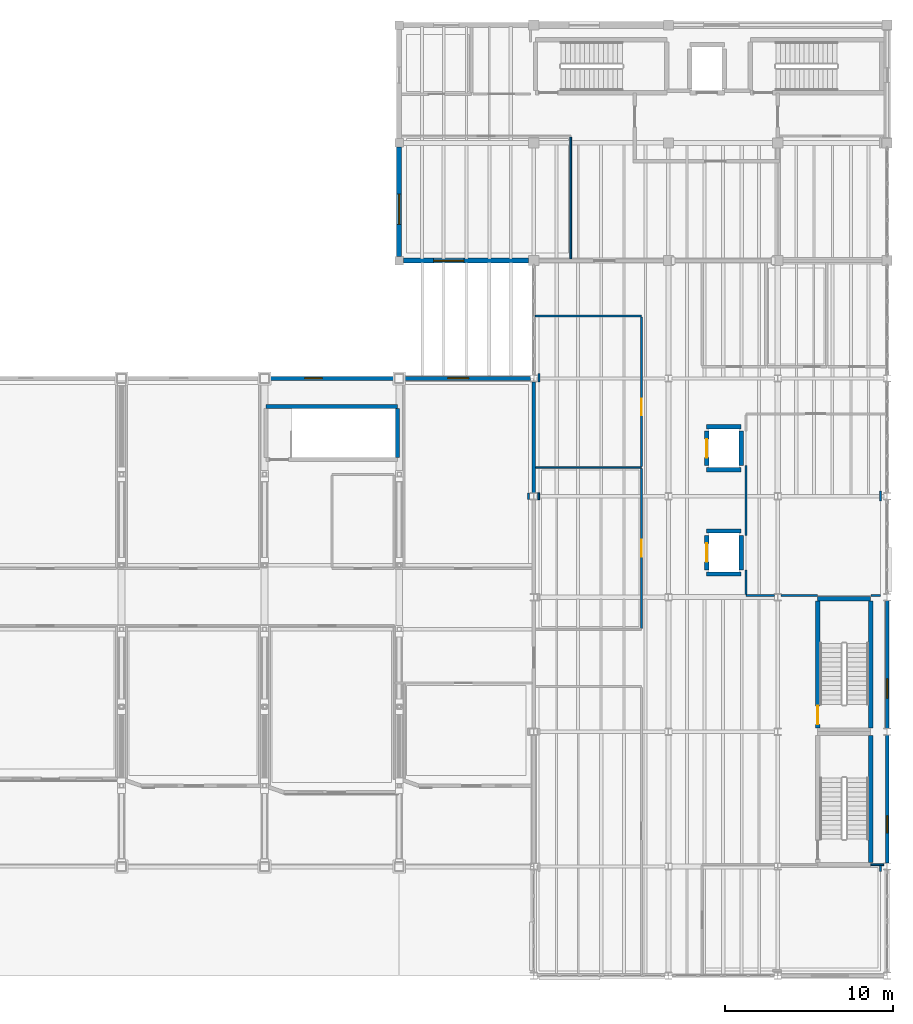
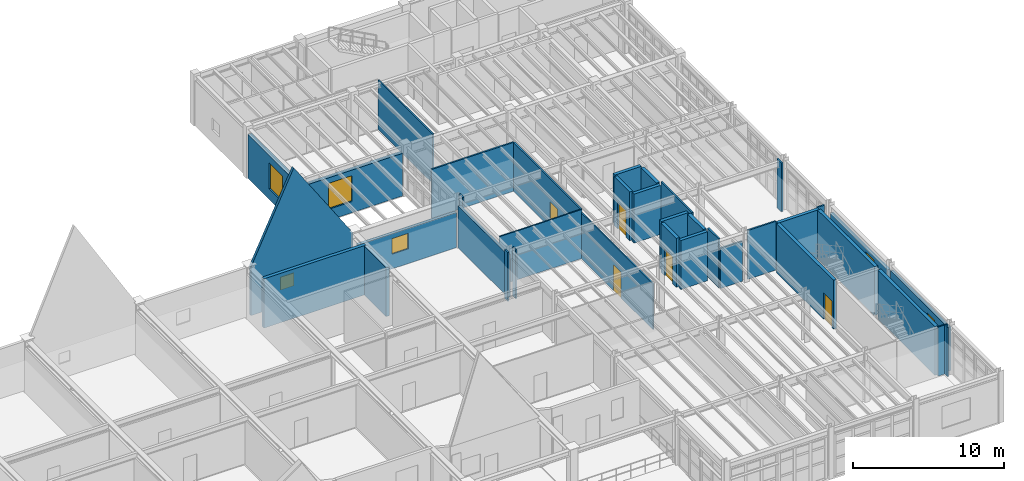
# One storey, part 67 of 78: 37 walls, 6 windows, 5 doors, 11 openings.
"""IFC4 building model written with IfcOpenShell, lengths in metres."""

from ifc_helpers import new_model, si_unit, direction, frame, frame_2d, origin, place, context, subcontext, project, spatial, polyline, rectangle, outline, extrude, material, layer, layer_set, type_object, element, fill, save


model = new_model("IFC4")

# Units and contexts
model_context = context("Model", 3, precision=1e-05, world=origin(), true_north=direction((0.0, 1.0)))
body_context = subcontext(model_context, "Body", "Model", "MODEL_VIEW")
ifc_project = project(units=[si_unit("LENGTHUNIT", "METRE"), si_unit("AREAUNIT", "SQUARE_METRE"), si_unit("VOLUMEUNIT", "CUBIC_METRE"), si_unit("PLANEANGLEUNIT", "RADIAN"), si_unit("MASSUNIT", "GRAM", prefix="KILO"), si_unit("THERMODYNAMICTEMPERATUREUNIT", "KELVIN"), si_unit("POWERUNIT", "WATT")], contexts=[model_context])

# Site, building, storey
site_placement = place(None, origin())
site = spatial("IfcSite", under=ifc_project, at=site_placement, CompositionType="ELEMENT")
building_placement = place(site_placement, origin())
building = spatial("IfcBuilding", under=site, at=building_placement, Name="Zhenchuan Central Fire Station", CompositionType="ELEMENT")
storey_placement = place(building_placement, frame((0.0, 0.0, 5.85009765625)))
storey = spatial("IfcBuildingStorey", under=building, at=storey_placement, Name="L02", CompositionType="ELEMENT", Elevation=5.85009765625)

# Wall, opening, window
ifc_material_1 = material(Name="Sintered clay brick masonry MU15", Category="masonry")
ifc_layer_1 = layer(ifc_material_1, 0.300048828125, Name="Sintered clay brick masonry MU15", Category="masonry")
ifc_layer_set_1 = layer_set([ifc_layer_1], Name="Sintered clay brick masonry MU15")
wall_type_1 = type_object("IfcWallType", Name="EW-BRK300", PredefinedType="SOLIDWALL", material=ifc_layer_set_1)
wall_1_placement = place(storey_placement, frame((132.0, 42.75, 0.0), z_axis=(0.0, 0.0, 1.0), x_axis=(0.0, 1.0, 0.0)))
wall_1 = element("IfcWall", 1, at=wall_1_placement, inside=storey, type_object=wall_type_1, Name="EW-L02-V6W-0", PredefinedType="SOLIDWALL", context=body_context, shape_type="SweptSolid", body=[
    extrude(rectangle(XDim=6.5, YDim=0.300048828125, at=frame_2d((3.25, 0.0))), origin(), (0.0, 0.0, 1.0), 3.56396484375),
])
opening_1_placement = place(wall_1_placement, frame((1.89990234375, 0.0, 0.85009765625)))
opening_1 = element("IfcOpeningElement", 2, at=opening_1_placement, cuts=wall_1, Name="Opening W-35", PredefinedType="OPENING", context=body_context, shape_type="SweptSolid", body=[
    extrude(rectangle(XDim=1.800048828125, YDim=2.10009765625, at=frame_2d((0.89990234375, 1.050048828125))), frame((0.0, 0.159912109375, 0.0), z_axis=(0.0, -1.0, 0.0), x_axis=(1.0, 0.0, 0.0)), (0.0, 0.0, 1.0), 0.320068359375),
])
ifc_material_2 = material(Name="Laminated low-E double glazing in aluminium frame", Category="aluminium")
window_type_1 = type_object("IfcWindowType", Name="WN-35", PartitioningType="SINGLE_PANEL", PredefinedType="WINDOW", material=ifc_material_2)
window_1_placement = place(opening_1_placement, origin())
window_1 = element("IfcWindow", 3, at=window_1_placement, inside=storey, type_object=window_type_1, Name="Exterior Window 0110", OverallHeight=2.10009765625, OverallWidth=1.800048828125, PartitioningType="SINGLE_PANEL", PredefinedType="WINDOW", context=body_context, shape_type="SweptSolid", body=[
    extrude(rectangle(XDim=1.800048828125, YDim=2.10009765625, at=frame_2d((0.89990234375, 1.050048828125))), frame((0.0, 0.030029296875, 0.0), z_axis=(0.0, -1.0, 0.0), x_axis=(1.0, 0.0, 0.0)), (0.0, 0.0, 1.0), 0.06005859375),
])
fill(opening_1, window_1)

wall_2_placement = place(storey_placement, frame((132.25, 42.5, 0.0), z_axis=(0.0, 0.0, 1.0), x_axis=(1.0, 0.0, 0.0)))
wall_2 = element("IfcWall", 4, at=wall_2_placement, inside=storey, type_object=wall_type_1, Name="EW-L02-V6S-0", PredefinedType="SOLIDWALL", context=body_context, shape_type="SweptSolid", body=[
    extrude(rectangle(XDim=7.449951171875, YDim=0.300048828125, at=frame_2d((3.72509765625, 0.0))), origin(), (0.0, 0.0, 1.0), 3.453857421875),
])
opening_2_placement = place(wall_2_placement, frame((1.800048828125, 0.0, 0.89990234375)))
opening_2 = element("IfcOpeningElement", 5, at=opening_2_placement, cuts=wall_2, Name="Opening W-35", PredefinedType="OPENING", context=body_context, shape_type="SweptSolid", body=[
    extrude(rectangle(XDim=1.800048828125, YDim=2.10009765625, at=frame_2d((0.89990234375, 1.050048828125))), frame((0.0, 0.159912109375, 0.0), z_axis=(0.0, -1.0, 0.0), x_axis=(1.0, 0.0, 0.0)), (0.0, 0.0, 1.0), 0.320068359375),
])
window_2_placement = place(opening_2_placement, origin())
window_2 = element("IfcWindow", 6, at=window_2_placement, inside=storey, type_object=window_type_1, Name="Exterior Window 0112", OverallHeight=2.10009765625, OverallWidth=1.800048828125, PartitioningType="SINGLE_PANEL", PredefinedType="WINDOW", context=body_context, shape_type="SweptSolid", body=[
    extrude(rectangle(XDim=1.800048828125, YDim=2.10009765625, at=frame_2d((0.89990234375, 1.050048828125))), frame((0.0, 0.030029296875, 0.0), z_axis=(0.0, -1.0, 0.0), x_axis=(1.0, 0.0, 0.0)), (0.0, 0.0, 1.0), 0.06005859375),
])
fill(opening_2, window_2)

ifc_material_3 = material(Name="Precast concrete C40/50", Category="concrete")
ifc_layer_2 = layer(ifc_material_3, 0.219970703125, Name="Precast concrete C40/50", Category="concrete")
ifc_layer_set_2 = layer_set([ifc_layer_2], Name="Precast concrete C40/50")
wall_type_2 = type_object("IfcWallType", Name="EW-PRC220", PredefinedType="SOLIDWALL", material=ifc_layer_set_2)
wall_3_placement = place(storey_placement, frame((124.087890625, 35.5, 0.0), z_axis=(0.0, 0.0, 1.0), x_axis=(1.0, 0.0, 0.0)))
wall_3 = element("IfcWall", 7, at=wall_3_placement, inside=storey, type_object=wall_type_2, Name="Pavilion H09 North Gable Wall", PredefinedType="SOLIDWALL", context=body_context, shape_type="SweptSolid", body=[
    extrude(outline(polyline([(0.0, 0.0), (7.82421875, 0.0), (7.823974609375, 3.949951171875), (3.27197265625, 10.81982421875), (0.0, 3.949951171875), (0.0, 0.0)])), frame((0.0, 0.10986328125, 0.0), z_axis=(0.0, -1.0, 0.0), x_axis=(1.0, 0.0, 0.0)), (0.0, 0.0, 1.0), 0.219970703125),
])
opening_3_placement = place(wall_3_placement, frame((2.300048828125, 0.0, 1.199951171875)))
opening_3 = element("IfcOpeningElement", 8, at=opening_3_placement, cuts=wall_3, Name="Opening W-05", PredefinedType="OPENING", context=body_context, shape_type="SweptSolid", body=[
    extrude(rectangle(XDim=1.050048828125, YDim=1.050048828125, at=frame_2d((0.52490234375, 0.52490234375))), frame((0.0, 0.119873046875, 0.0), z_axis=(0.0, -1.0, 0.0), x_axis=(1.0, 0.0, 0.0)), (0.0, 0.0, 1.0), 0.239990234375),
])
window_type_2 = type_object("IfcWindowType", Name="WN-05", PartitioningType="SINGLE_PANEL", PredefinedType="WINDOW", material=ifc_material_2)
window_3_placement = place(opening_3_placement, origin())
window_3 = element("IfcWindow", 9, at=window_3_placement, inside=storey, type_object=window_type_2, Name="Exterior Window 0031", OverallHeight=1.050048828125, OverallWidth=1.050048828125, PartitioningType="SINGLE_PANEL", PredefinedType="WINDOW", context=body_context, shape_type="SweptSolid", body=[
    extrude(rectangle(XDim=1.050048828125, YDim=1.050048828125, at=frame_2d((0.52490234375, 0.52490234375))), frame((0.0, 0.030029296875, 0.0), z_axis=(0.0, -1.0, 0.0), x_axis=(1.0, 0.0, 0.0)), (0.0, 0.0, 1.0), 0.06005859375),
])
fill(opening_3, window_3)

wall_4_placement = place(storey_placement, frame((132.27490234375, 35.5, 0.0), z_axis=(0.0, 0.0, 1.0), x_axis=(1.0, 0.0, 0.0)))
wall_4 = element("IfcWall", 10, at=wall_4_placement, inside=storey, type_object=wall_type_2, Name="Pavilion H10 North Lower Wall", PredefinedType="SOLIDWALL", context=body_context, shape_type="SweptSolid", body=[
    extrude(rectangle(XDim=7.525146484375, YDim=0.219970703125, at=frame_2d((3.7626953125, 0.0))), origin(), (0.0, 0.0, 1.0), 2.85400390625),
])
opening_4_placement = place(wall_4_placement, frame((2.60009765625, 0.0, 1.199951171875)))
opening_4 = element("IfcOpeningElement", 11, at=opening_4_placement, cuts=wall_4, Name="Opening W-07", PredefinedType="OPENING", context=body_context, shape_type="SweptSolid", body=[
    extrude(rectangle(XDim=1.25, YDim=1.25, at=frame_2d((0.625, 0.625))), frame((0.0, 0.119873046875, 0.0), z_axis=(0.0, -1.0, 0.0), x_axis=(1.0, 0.0, 0.0)), (0.0, 0.0, 1.0), 0.239990234375),
])
window_type_3 = type_object("IfcWindowType", Name="WN-07", PartitioningType="SINGLE_PANEL", PredefinedType="WINDOW", material=ifc_material_2)
window_4_placement = place(opening_4_placement, origin())
window_4 = element("IfcWindow", 12, at=window_4_placement, inside=storey, type_object=window_type_3, Name="Exterior Window 0033", OverallHeight=1.25, OverallWidth=1.25, PartitioningType="SINGLE_PANEL", PredefinedType="WINDOW", context=body_context, shape_type="SweptSolid", body=[
    extrude(rectangle(XDim=1.25, YDim=1.25, at=frame_2d((0.625, 0.625))), frame((0.0, 0.030029296875, 0.0), z_axis=(0.0, -1.0, 0.0), x_axis=(1.0, 0.0, 0.0)), (0.0, 0.0, 1.0), 0.06005859375),
])
fill(opening_4, window_4)

wall_5_placement = place(storey_placement, frame((161.0, 6.699951171875, 0.0), z_axis=(0.0, 0.0, 1.0), x_axis=(0.0, 1.0, 0.0)))
wall_5 = element("IfcWall", 13, at=wall_5_placement, inside=storey, type_object=wall_type_2, Name="EW-L02-V2E-1", PredefinedType="SOLIDWALL", context=body_context, shape_type="SweptSolid", body=[
    extrude(rectangle(XDim=7.60009765625, YDim=0.219970703125, at=frame_2d((3.800048828125, 0.0))), origin(), (0.0, 0.0, 1.0), 3.553955078125),
])
opening_5_placement = place(wall_5_placement, frame((1.800048828125, 0.0, 1.050048828125)))
opening_5 = element("IfcOpeningElement", 14, at=opening_5_placement, cuts=wall_5, Name="Opening W-31", PredefinedType="OPENING", context=body_context, shape_type="SweptSolid", body=[
    extrude(rectangle(XDim=1.0, YDim=2.0, at=frame_2d((0.5, 1.0))), frame((0.0, 0.119873046875, 0.0), z_axis=(0.0, -1.0, 0.0), x_axis=(1.0, 0.0, 0.0)), (0.0, 0.0, 1.0), 0.239990234375),
])
window_type_4 = type_object("IfcWindowType", Name="WN-31", PartitioningType="SINGLE_PANEL", PredefinedType="WINDOW", material=ifc_material_2)
window_5_placement = place(opening_5_placement, origin())
window_5 = element("IfcWindow", 15, at=window_5_placement, inside=storey, type_object=window_type_4, Name="Exterior Window 0089", OverallHeight=2.0, OverallWidth=1.0, PartitioningType="SINGLE_PANEL", PredefinedType="WINDOW", context=body_context, shape_type="SweptSolid", body=[
    extrude(rectangle(XDim=1.0, YDim=2.0, at=frame_2d((0.5, 1.0))), frame((0.0, 0.030029296875, 0.0), z_axis=(0.0, -1.0, 0.0), x_axis=(1.0, 0.0, 0.0)), (0.0, 0.0, 1.0), 0.06005859375),
])
fill(opening_5, window_5)

wall_6_placement = place(storey_placement, frame((161.0, 14.699951171875, 0.0), z_axis=(0.0, 0.0, 1.0), x_axis=(0.0, 1.0, 0.0)))
wall_6 = element("IfcWall", 16, at=wall_6_placement, inside=storey, type_object=wall_type_2, Name="EW-L02-V2E-2", PredefinedType="SOLIDWALL", context=body_context, shape_type="SweptSolid", body=[
    extrude(rectangle(XDim=7.60009765625, YDim=0.219970703125, at=frame_2d((3.800048828125, 0.0))), origin(), (0.0, 0.0, 1.0), 3.365966796875),
])
opening_6_placement = place(wall_6_placement, frame((1.800048828125, 0.0, 1.050048828125)))
opening_6 = element("IfcOpeningElement", 17, at=opening_6_placement, cuts=wall_6, Name="Opening W-32", PredefinedType="OPENING", context=body_context, shape_type="SweptSolid", body=[
    extrude(rectangle(XDim=1.14990234375, YDim=2.0, at=frame_2d((0.574951171875, 1.0))), frame((0.0, 0.119873046875, 0.0), z_axis=(0.0, -1.0, 0.0), x_axis=(1.0, 0.0, 0.0)), (0.0, 0.0, 1.0), 0.239990234375),
])
window_type_5 = type_object("IfcWindowType", Name="WN-32", PartitioningType="SINGLE_PANEL", PredefinedType="WINDOW", material=ifc_material_2)
window_6_placement = place(opening_6_placement, origin())
window_6 = element("IfcWindow", 18, at=window_6_placement, inside=storey, type_object=window_type_5, Name="Exterior Window 0090", OverallHeight=2.0, OverallWidth=1.14990234375, PartitioningType="SINGLE_PANEL", PredefinedType="WINDOW", context=body_context, shape_type="SweptSolid", body=[
    extrude(rectangle(XDim=1.14990234375, YDim=2.0, at=frame_2d((0.574951171875, 1.0))), frame((0.0, 0.030029296875, 0.0), z_axis=(0.0, -1.0, 0.0), x_axis=(1.0, 0.0, 0.0)), (0.0, 0.0, 1.0), 0.06005859375),
])
fill(opening_6, window_6)

# Walls
ifc_material_4 = material(Name="Autoclaved aerated concrete blockwork", Category="masonry")
ifc_layer_3 = layer(ifc_material_4, 0.199951171875, Name="Autoclaved aerated concrete blockwork", Category="masonry")
ifc_layer_set_3 = layer_set([ifc_layer_3], Name="Autoclaved aerated concrete blockwork")
wall_type_3 = type_object("IfcWallType", Name="IW-FIR200", PredefinedType="PARTITIONING", material=ifc_layer_set_3)
wall_7_placement = place(storey_placement, frame((140.0, 28.701904296875, 0.0), z_axis=(0.0, 0.0, 1.0), x_axis=(0.0, 1.0, 0.0)))
element("IfcWall", 19, at=wall_7_placement, inside=storey, type_object=wall_type_3, Name="L02 Hall-HQ Fire Compartment Wall Y=28.5..35.5", PredefinedType="PARTITIONING", context=body_context, shape_type="SweptSolid", body=[
    extrude(rectangle(XDim=6.59619140625, YDim=0.199951171875, at=frame_2d((3.298095703125, 0.0))), origin(), (0.0, 0.0, 1.0), 3.40380859375),
])
ifc_material_5 = material(Name="Gypsum plasterboard on steel studs", Category="gypsum")
ifc_layer_4 = layer(ifc_material_5, 0.10009765625, Name="Gypsum plasterboard on steel studs", Category="gypsum")
ifc_layer_set_4 = layer_set([ifc_layer_4], Name="Gypsum plasterboard on steel studs")
wall_type_4 = type_object("IfcWallType", Name="IW-GYP100", PredefinedType="PARTITIONING", material=ifc_layer_set_4)
wall_8_placement = place(storey_placement, frame((140.10302734375, 30.199951171875, 0.0), z_axis=(0.0, 0.0, 1.0), x_axis=(1.0, 0.0, 0.0)))
element("IfcWall", 20, at=wall_8_placement, inside=storey, type_object=wall_type_4, Name="Operations Planning Office N Partition", PredefinedType="PARTITIONING", context=body_context, shape_type="SweptSolid", body=[
    extrude(rectangle(XDim=6.296875, YDim=0.10009765625, at=frame_2d((3.1484375, 0.0))), origin(), (0.0, 0.0, 1.0), 3.9599609375),
])
wall_9_placement = place(storey_placement, frame((140.300048828125, 28.301025390625, 0.0), z_axis=(0.0, 0.0, 1.0), x_axis=(0.0, 1.0, 0.0)))
element("IfcWall", 21, at=wall_9_placement, inside=storey, type_object=wall_type_4, Name="Operations Planning Office W Partition 2", PredefinedType="PARTITIONING", context=body_context, shape_type="SweptSolid", body=[
    extrude(rectangle(XDim=0.39794921875, YDim=0.10009765625, at=frame_2d((0.198974609375, 0.0))), origin(), (0.0, 0.0, 1.0), 3.9599609375),
])

# Wall, opening, door
wall_10_placement = place(storey_placement, frame((146.39990234375, 20.653076171875, 0.0), z_axis=(0.0, 0.0, 1.0), x_axis=(0.0, 1.0, 0.0)))
wall_10 = element("IfcWall", 22, at=wall_10_placement, inside=storey, type_object=wall_type_4, Name="Operations Planning Office E Partition", PredefinedType="PARTITIONING", context=body_context, shape_type="SweptSolid", body=[
    extrude(rectangle(XDim=9.493896484375, YDim=0.10009765625, at=frame_2d((4.7470703125, 0.0))), origin(), (0.0, 0.0, 1.0), 3.7099609375),
])
opening_7_placement = place(wall_10_placement, frame((4.2470703125, 0.0, 0.0)))
opening_7 = element("IfcOpeningElement", 23, at=opening_7_placement, cuts=wall_10, Name="Opening D-142", PredefinedType="OPENING", context=body_context, shape_type="SweptSolid", body=[
    extrude(rectangle(XDim=1.0, YDim=2.10009765625, at=frame_2d((0.5, 1.050048828125))), frame((0.0, 0.06005859375, 0.0), z_axis=(0.0, -1.0, 0.0), x_axis=(1.0, 0.0, 0.0)), (0.0, 0.0, 1.0), 0.1201171875),
])
ifc_material_6 = material(Name="Solid-core timber office door", Category="wood")
door_type_1 = type_object("IfcDoorType", Name="ID-OFF-100x210", OperationType="NOTDEFINED", PredefinedType="DOOR", material=ifc_material_6)
door_1_placement = place(opening_7_placement, origin())
door_1 = element("IfcDoor", 24, at=door_1_placement, inside=storey, type_object=door_type_1, Name="Operations Planning Office Door", OperationType="SINGLE_SWING_RIGHT", OverallHeight=2.10009765625, OverallWidth=1.0, PredefinedType="DOOR", context=body_context, shape_type="SweptSolid", body=[
    extrude(rectangle(XDim=1.0, YDim=2.10009765625, at=frame_2d((0.5, 1.050048828125))), frame((0.0, 0.02490234375, 0.0), z_axis=(0.0, -1.0, 0.0), x_axis=(1.0, 0.0, 0.0)), (0.0, 0.0, 1.0), 0.050048828125),
])
fill(opening_7, door_1)

# Walls
wall_11_placement = place(storey_placement, frame((160.028076171875, 6.60009765625, 0.0), z_axis=(0.0, 0.0, 1.0), x_axis=(1.0, 0.0, 0.0)))
element("IfcWall", 25, at=wall_11_placement, inside=storey, type_object=wall_type_4, Name="Personnel and Finance Office N Partition 3", PredefinedType="PARTITIONING", context=body_context, shape_type="SweptSolid", body=[
    extrude(rectangle(XDim=0.76904296875, YDim=0.10009765625, at=frame_2d((0.384521484375, 0.0))), origin(), (0.0, 0.0, 1.0), 3.9599609375),
])
wall_12_placement = place(storey_placement, frame((160.60009765625, 6.202880859375, 0.0), z_axis=(0.0, 0.0, 1.0), x_axis=(0.0, 1.0, 0.0)))
element("IfcWall", 26, at=wall_12_placement, inside=storey, type_object=wall_type_4, Name="Personnel and Finance Office E Partition", PredefinedType="PARTITIONING", context=body_context, shape_type="SweptSolid", body=[
    extrude(rectangle(XDim=0.34423828125, YDim=0.10009765625, at=frame_2d((0.172119140625, 0.0))), origin(), (0.0, 0.0, 1.0), 3.9599609375),
])
wall_13_placement = place(storey_placement, frame((142.199951171875, 42.60302734375, 0.0), z_axis=(0.0, 0.0, 1.0), x_axis=(0.0, 1.0, 0.0)))
element("IfcWall", 27, at=wall_13_placement, inside=storey, type_object=wall_type_4, Name="Forcible Entry Training Room E Partition", PredefinedType="PARTITIONING", context=body_context, shape_type="SweptSolid", body=[
    extrude(rectangle(XDim=7.243896484375, YDim=0.10009765625, at=frame_2d((3.6220703125, 0.0))), origin(), (0.0, 0.0, 1.0), 4.0),
])
ifc_layer_5 = layer(ifc_material_5, 0.1201171875, Name="Gypsum plasterboard on steel studs", Category="gypsum")
ifc_layer_set_5 = layer_set([ifc_layer_5], Name="Gypsum plasterboard on steel studs")
wall_type_5 = type_object("IfcWallType", Name="IW-GYP120", PredefinedType="PARTITIONING", material=ifc_layer_set_5)
wall_14_placement = place(storey_placement, frame((139.699951171875, 28.301025390625, 0.0), z_axis=(0.0, 0.0, 1.0), x_axis=(0.0, 1.0, 0.0)))
element("IfcWall", 28, at=wall_14_placement, inside=storey, type_object=wall_type_5, Name="Duty Platoon Office E Partition", PredefinedType="PARTITIONING", context=body_context, shape_type="SweptSolid", body=[
    extrude(rectangle(XDim=0.39794921875, YDim=0.1201171875, at=frame_2d((0.198974609375, 0.0))), origin(), (0.0, 0.0, 1.0), 3.9599609375),
])
wall_15_placement = place(storey_placement, frame((140.0830078125, 39.199951171875, 0.0), z_axis=(0.0, 0.0, 1.0), x_axis=(1.0, 0.0, 0.0)))
element("IfcWall", 29, at=wall_15_placement, inside=storey, type_object=wall_type_5, Name="Logistics and Fleet Management Office N Partition", PredefinedType="PARTITIONING", context=body_context, shape_type="SweptSolid", body=[
    extrude(rectangle(XDim=6.31689453125, YDim=0.1201171875, at=frame_2d((3.158447265625, 0.0))), origin(), (0.0, 0.0, 1.0), 3.9599609375),
])
wall_16_placement = place(storey_placement, frame((140.300048828125, 35.301025390625, 0.0), z_axis=(0.0, 0.0, 1.0), x_axis=(0.0, 1.0, 0.0)))
element("IfcWall", 30, at=wall_16_placement, inside=storey, type_object=wall_type_5, Name="Logistics and Fleet Management Office W Partition", PredefinedType="PARTITIONING", context=body_context, shape_type="SweptSolid", body=[
    extrude(rectangle(XDim=0.49609375, YDim=0.1201171875, at=frame_2d((0.248046875, 0.0))), origin(), (0.0, 0.0, 1.0), 3.9599609375),
])

# Wall, opening, door
wall_17_placement = place(storey_placement, frame((146.39990234375, 30.2529296875, 0.0), z_axis=(0.0, 0.0, 1.0), x_axis=(0.0, 1.0, 0.0)))
wall_17 = element("IfcWall", 31, at=wall_17_placement, inside=storey, type_object=wall_type_5, Name="Logistics and Fleet Management Office E Partition", PredefinedType="PARTITIONING", context=body_context, shape_type="SweptSolid", body=[
    extrude(rectangle(XDim=8.884033203125, YDim=0.1201171875, at=frame_2d((4.44189453125, 0.0))), origin(), (0.0, 0.0, 1.0), 3.9599609375),
])
opening_8_placement = place(wall_17_placement, frame((3.052001953125, 0.0, 0.0)))
opening_8 = element("IfcOpeningElement", 32, at=opening_8_placement, cuts=wall_17, Name="Opening D-143", PredefinedType="OPENING", context=body_context, shape_type="SweptSolid", body=[
    extrude(rectangle(XDim=0.97998046875, YDim=2.10009765625, at=frame_2d((0.489990234375, 1.050048828125))), frame((0.0, 0.070068359375, 0.0), z_axis=(0.0, -1.0, 0.0), x_axis=(1.0, 0.0, 0.0)), (0.0, 0.0, 1.0), 0.14013671875),
])
ifc_material_7 = material(Name="Solid-core timber study door", Category="wood")
door_type_2 = type_object("IfcDoorType", Name="ID-OFF-098x210", OperationType="NOTDEFINED", PredefinedType="DOOR", material=ifc_material_7)
door_2_placement = place(opening_8_placement, origin())
door_2 = element("IfcDoor", 33, at=door_2_placement, inside=storey, type_object=door_type_2, Name="Logistics and Fleet Management Office Door", OperationType="SINGLE_SWING_LEFT", OverallHeight=2.10009765625, OverallWidth=0.97998046875, PredefinedType="DOOR", context=body_context, shape_type="SweptSolid", body=[
    extrude(rectangle(XDim=0.97998046875, YDim=2.10009765625, at=frame_2d((0.489990234375, 1.050048828125))), frame((0.0, 0.02490234375, 0.0), z_axis=(0.0, -1.0, 0.0), x_axis=(1.0, 0.0, 0.0)), (0.0, 0.0, 1.0), 0.050048828125),
])
fill(opening_8, door_2)

# Walls
wall_18_placement = place(storey_placement, frame((152.60009765625, 22.60009765625, 0.0), z_axis=(0.0, 0.0, 1.0), x_axis=(1.0, 0.0, 0.0)))
element("IfcWall", 34, at=wall_18_placement, inside=storey, type_object=wall_type_5, Name="Staff Briefing Room S Partition 1", PredefinedType="PARTITIONING", context=body_context, shape_type="SweptSolid", body=[
    extrude(rectangle(XDim=1.697021484375, YDim=0.1201171875, at=frame_2d((0.8486328125, 0.0))), origin(), (0.0, 0.0, 1.0), 3.25390625),
])
wall_19_placement = place(storey_placement, frame((154.702880859375, 22.60009765625, 0.0), z_axis=(0.0, 0.0, 1.0), x_axis=(1.0, 0.0, 0.0)))
element("IfcWall", 35, at=wall_19_placement, inside=storey, type_object=wall_type_5, Name="Staff Briefing Room S Partition 2", PredefinedType="PARTITIONING", context=body_context, shape_type="SweptSolid", body=[
    extrude(rectangle(XDim=2.169189453125, YDim=0.1201171875, at=frame_2d((1.08447265625, 0.0))), origin(), (0.0, 0.0, 1.0), 3.9599609375),
])
wall_20_placement = place(storey_placement, frame((160.028076171875, 22.60009765625, 0.0), z_axis=(0.0, 0.0, 1.0), x_axis=(1.0, 0.0, 0.0)))
element("IfcWall", 36, at=wall_20_placement, inside=storey, type_object=wall_type_5, Name="Staff Briefing Room S Partition 3", PredefinedType="PARTITIONING", context=body_context, shape_type="SweptSolid", body=[
    extrude(rectangle(XDim=0.572021484375, YDim=0.1201171875, at=frame_2d((0.2861328125, 0.0))), origin(), (0.0, 0.0, 1.0), 3.9599609375),
])
wall_21_placement = place(storey_placement, frame((152.60009765625, 22.6630859375, 0.0), z_axis=(0.0, 0.0, 1.0), x_axis=(0.0, 1.0, 0.0)))
element("IfcWall", 37, at=wall_21_placement, inside=storey, type_object=wall_type_5, Name="Staff Briefing Room W Partition 1", PredefinedType="PARTITIONING", context=body_context, shape_type="SweptSolid", body=[
    extrude(rectangle(XDim=1.458984375, YDim=0.1201171875, at=frame_2d((0.7294921875, 0.0))), origin(), (0.0, 0.0, 1.0), 3.9599609375),
])
wall_22_placement = place(storey_placement, frame((152.60009765625, 26.177978515625, 0.0), z_axis=(0.0, 0.0, 1.0), x_axis=(0.0, 1.0, 0.0)))
element("IfcWall", 38, at=wall_22_placement, inside=storey, type_object=wall_type_5, Name="Staff Briefing Room W Partition 2", PredefinedType="PARTITIONING", context=body_context, shape_type="SweptSolid", body=[
    extrude(rectangle(XDim=4.14404296875, YDim=0.1201171875, at=frame_2d((2.072021484375, 0.0))), origin(), (0.0, 0.0, 1.0), 3.9599609375),
])
wall_23_placement = place(storey_placement, frame((160.60009765625, 28.202880859375, 0.0), z_axis=(0.0, 0.0, 1.0), x_axis=(0.0, 1.0, 0.0)))
element("IfcWall", 39, at=wall_23_placement, inside=storey, type_object=wall_type_5, Name="Staff Briefing Room E Partition", PredefinedType="PARTITIONING", context=body_context, shape_type="SweptSolid", body=[
    extrude(rectangle(XDim=0.59423828125, YDim=0.1201171875, at=frame_2d((0.297119140625, 0.0))), origin(), (0.0, 0.0, 1.0), 3.9599609375),
])
ifc_material_8 = material(Name="Concrete C40/50", Category="concrete")
ifc_layer_6 = layer(ifc_material_8, 0.25, Name="Concrete C40/50", Category="concrete")
ifc_layer_set_6 = layer_set([ifc_layer_6], Name="Concrete C40/50")
wall_type_6 = type_object("IfcWallType", Name="IW-SHR250", PredefinedType="SHEAR", material=ifc_layer_set_6)
wall_24_placement = place(storey_placement, frame((124.094970703125, 33.824951171875, 0.0), z_axis=(0.0, 0.0, 1.0), x_axis=(1.0, 0.0, 0.0)))
element("IfcWall", 40, at=wall_24_placement, inside=storey, type_object=wall_type_6, Name="ST-09 L02 North Core Wall", PredefinedType="SHEAR", context=body_context, shape_type="SweptSolid", body=[
    extrude(rectangle(XDim=7.81005859375, YDim=0.25, at=frame_2d((3.905029296875, 0.0))), origin(), (0.0, 0.0, 1.0), 4.0),
])
wall_25_placement = place(storey_placement, frame((131.905029296875, 30.800048828125, 0.0), z_axis=(0.0, 0.0, 1.0), x_axis=(0.0, 1.0, 0.0)))
element("IfcWall", 41, at=wall_25_placement, inside=storey, type_object=wall_type_6, Name="ST-09 L02 East Core Wall", PredefinedType="SHEAR", context=body_context, shape_type="SweptSolid", body=[
    extrude(rectangle(XDim=2.89990234375, YDim=0.25, at=frame_2d((1.449951171875, 0.0))), origin(), (0.0, 0.0, 1.0), 3.9599609375),
])
wall_26_placement = place(storey_placement, frame((160.02490234375, 6.719970703125, 0.0), z_axis=(0.0, 0.0, 1.0), x_axis=(0.0, 1.0, 0.0)))
element("IfcWall", 42, at=wall_26_placement, inside=storey, type_object=wall_type_6, Name="ST-10 L02 East Core Wall", PredefinedType="SHEAR", context=body_context, shape_type="SweptSolid", body=[
    extrude(rectangle(XDim=7.56005859375, YDim=0.25, at=frame_2d((3.780029296875, 0.0))), origin(), (0.0, 0.0, 1.0), 3.9599609375),
])
wall_27_placement = place(storey_placement, frame((156.875, 22.405029296875, 0.0), z_axis=(0.0, 0.0, 1.0), x_axis=(1.0, 0.0, 0.0)))
element("IfcWall", 43, at=wall_27_placement, inside=storey, type_object=wall_type_6, Name="ST-11 L02 North Core Wall", PredefinedType="SHEAR", context=body_context, shape_type="SweptSolid", body=[
    extrude(rectangle(XDim=3.14990234375, YDim=0.25, at=frame_2d((1.574951171875, 0.0))), origin(), (0.0, 0.0, 1.0), 3.9599609375),
])

# Wall, opening, door
wall_28_placement = place(storey_placement, frame((156.875, 14.719970703125, 0.0), z_axis=(0.0, 0.0, 1.0), x_axis=(0.0, 1.0, 0.0)))
wall_28 = element("IfcWall", 44, at=wall_28_placement, inside=storey, type_object=wall_type_6, Name="ST-11 L02 West Core Wall", PredefinedType="SHEAR", context=body_context, shape_type="SweptSolid", body=[
    extrude(rectangle(XDim=7.56005859375, YDim=0.25, at=frame_2d((3.780029296875, 0.0))), origin(), (0.0, 0.0, 1.0), 3.9599609375),
])
opening_9_placement = place(wall_28_placement, frame((0.219970703125, 0.0, 0.0)))
opening_9 = element("IfcOpeningElement", 45, at=opening_9_placement, cuts=wall_28, Name="Opening D-027", PredefinedType="OPENING", context=body_context, shape_type="SweptSolid", body=[
    extrude(rectangle(XDim=1.10009765625, YDim=2.14990234375, at=frame_2d((0.550048828125, 1.074951171875))), frame((0.0, 0.135009765625, 0.0), z_axis=(0.0, -1.0, 0.0), x_axis=(1.0, 0.0, 0.0)), (0.0, 0.0, 1.0), 0.27001953125),
])
ifc_material_9 = material(Name="Painted steel acoustic fire door", Category="steel")
door_type_3 = type_object("IfcDoorType", Name="ID-ST-110x215", OperationType="NOTDEFINED", PredefinedType="DOOR", material=ifc_material_9)
door_3_placement = place(opening_9_placement, origin())
door_3 = element("IfcDoor", 46, at=door_3_placement, inside=storey, type_object=door_type_3, Name="ST-11 L02 Fire Door", OperationType="SINGLE_SWING_LEFT", OverallHeight=2.14990234375, OverallWidth=1.10009765625, PredefinedType="DOOR", context=body_context, shape_type="SweptSolid", body=[
    extrude(rectangle(XDim=1.10009765625, YDim=2.14990234375, at=frame_2d((0.550048828125, 1.074951171875))), frame((0.0, 0.02490234375, 0.0), z_axis=(0.0, -1.0, 0.0), x_axis=(1.0, 0.0, 0.0)), (0.0, 0.0, 1.0), 0.050048828125),
])
fill(opening_9, door_3)

# Walls
wall_29_placement = place(storey_placement, frame((160.02490234375, 14.719970703125, 0.0), z_axis=(0.0, 0.0, 1.0), x_axis=(0.0, 1.0, 0.0)))
element("IfcWall", 47, at=wall_29_placement, inside=storey, type_object=wall_type_6, Name="ST-11 L02 East Core Wall", PredefinedType="SHEAR", context=body_context, shape_type="SweptSolid", body=[
    extrude(rectangle(XDim=7.56005859375, YDim=0.25, at=frame_2d((3.780029296875, 0.0))), origin(), (0.0, 0.0, 1.0), 3.9599609375),
])
for number, where, z_axis, x_axis, name in (
    (48, (150.27490234375, 23.875, 0.0), (0.0, 0.0, 1.0), (1.0, 0.0, 0.0), "Lift LP-01 L02 South Shaft Wall"),
    (49, (150.27490234375, 26.425048828125, 0.0), (0.0, 0.0, 1.0), (1.0, 0.0, 0.0), "Lift LP-01 L02 North Shaft Wall"),
):
    element("IfcWall", number, at=place(storey_placement, frame(where, z_axis=z_axis, x_axis=x_axis)), inside=storey, type_object=wall_type_6, Name=name, PredefinedType="SHEAR", context=body_context, shape_type="SweptSolid", body=[
        extrude(rectangle(XDim=2.050048828125, YDim=0.25, at=frame_2d((1.02490234375, 0.0))), origin(), (0.0, 0.0, 1.0), 3.9599609375),
    ])

# Wall, opening, door
wall_30_placement = place(storey_placement, frame((150.27490234375, 24.125, 0.0), z_axis=(0.0, 0.0, 1.0), x_axis=(0.0, 1.0, 0.0)))
wall_30 = element("IfcWall", 50, at=wall_30_placement, inside=storey, type_object=wall_type_6, Name="Lift LP-01 L02 West Shaft Wall", PredefinedType="SHEAR", context=body_context, shape_type="SweptSolid", body=[
    extrude(rectangle(XDim=2.050048828125, YDim=0.25, at=frame_2d((1.02490234375, 0.0))), origin(), (0.0, 0.0, 1.0), 3.9599609375),
])
opening_10_placement = place(wall_30_placement, frame((0.47509765625, 0.0, 0.0)))
opening_10 = element("IfcOpeningElement", 51, at=opening_10_placement, cuts=wall_30, Name="Opening LD-008", PredefinedType="OPENING", context=body_context, shape_type="SweptSolid", body=[
    extrude(rectangle(XDim=1.10009765625, YDim=2.14990234375, at=frame_2d((0.550048828125, 1.074951171875))), frame((0.0, 0.135009765625, 0.0), z_axis=(0.0, -1.0, 0.0), x_axis=(1.0, 0.0, 0.0)), (0.0, 0.0, 1.0), 0.27001953125),
])
ifc_material_10 = material(Name="Brushed stainless steel sliding landing door", Category="steel")
door_type_4 = type_object("IfcDoorType", Name="ID-LD-110x215", OperationType="NOTDEFINED", PredefinedType="DOOR", material=ifc_material_10)
door_4_placement = place(opening_10_placement, origin())
door_4 = element("IfcDoor", 52, at=door_4_placement, inside=storey, type_object=door_type_4, Name="Lift LP-01 L02 Sliding Landing Door", OperationType="DOUBLE_DOOR_SLIDING", OverallHeight=2.14990234375, OverallWidth=1.10009765625, PredefinedType="DOOR", context=body_context, shape_type="SweptSolid", body=[
    extrude(rectangle(XDim=1.10009765625, YDim=2.14990234375, at=frame_2d((0.550048828125, 1.074951171875))), frame((0.0, 0.02490234375, 0.0), z_axis=(0.0, -1.0, 0.0), x_axis=(1.0, 0.0, 0.0)), (0.0, 0.0, 1.0), 0.050048828125),
])
fill(opening_10, door_4)

# Walls
for number, where, z_axis, x_axis, name in (
    (53, (152.324951171875, 24.125, 0.0), (0.0, 0.0, 1.0), (0.0, 1.0, 0.0), "Lift LP-01 L02 East Shaft Wall"),
    (54, (150.27490234375, 30.074951171875, 0.0), (0.0, 0.0, 1.0), (1.0, 0.0, 0.0), "Lift LP-02 L02 South Shaft Wall"),
    (55, (150.27490234375, 32.625, 0.0), (0.0, 0.0, 1.0), (1.0, 0.0, 0.0), "Lift LP-02 L02 North Shaft Wall"),
):
    element("IfcWall", number, at=place(storey_placement, frame(where, z_axis=z_axis, x_axis=x_axis)), inside=storey, type_object=wall_type_6, Name=name, PredefinedType="SHEAR", context=body_context, shape_type="SweptSolid", body=[
        extrude(rectangle(XDim=2.050048828125, YDim=0.25, at=frame_2d((1.02490234375, 0.0))), origin(), (0.0, 0.0, 1.0), 3.9599609375),
    ])

# Wall, opening, door
wall_31_placement = place(storey_placement, frame((150.27490234375, 30.324951171875, 0.0), z_axis=(0.0, 0.0, 1.0), x_axis=(0.0, 1.0, 0.0)))
wall_31 = element("IfcWall", 56, at=wall_31_placement, inside=storey, type_object=wall_type_6, Name="Lift LP-02 L02 West Shaft Wall", PredefinedType="SHEAR", context=body_context, shape_type="SweptSolid", body=[
    extrude(rectangle(XDim=2.050048828125, YDim=0.25, at=frame_2d((1.02490234375, 0.0))), origin(), (0.0, 0.0, 1.0), 3.9599609375),
])
opening_11_placement = place(wall_31_placement, frame((0.47509765625, 0.0, 0.0)))
opening_11 = element("IfcOpeningElement", 57, at=opening_11_placement, cuts=wall_31, Name="Opening LD-012", PredefinedType="OPENING", context=body_context, shape_type="SweptSolid", body=[
    extrude(rectangle(XDim=1.10009765625, YDim=2.14990234375, at=frame_2d((0.550048828125, 1.074951171875))), frame((0.0, 0.135009765625, 0.0), z_axis=(0.0, -1.0, 0.0), x_axis=(1.0, 0.0, 0.0)), (0.0, 0.0, 1.0), 0.27001953125),
])
door_5_placement = place(opening_11_placement, origin())
door_5 = element("IfcDoor", 58, at=door_5_placement, inside=storey, type_object=door_type_4, Name="Lift LP-02 L02 Sliding Landing Door", OperationType="DOUBLE_DOOR_SLIDING", OverallHeight=2.14990234375, OverallWidth=1.10009765625, PredefinedType="DOOR", context=body_context, shape_type="SweptSolid", body=[
    extrude(rectangle(XDim=1.10009765625, YDim=2.14990234375, at=frame_2d((0.550048828125, 1.074951171875))), frame((0.0, 0.02490234375, 0.0), z_axis=(0.0, -1.0, 0.0), x_axis=(1.0, 0.0, 0.0)), (0.0, 0.0, 1.0), 0.050048828125),
])
fill(opening_11, door_5)

# Wall
wall_32_placement = place(storey_placement, frame((152.324951171875, 30.324951171875, 0.0), z_axis=(0.0, 0.0, 1.0), x_axis=(0.0, 1.0, 0.0)))
element("IfcWall", 59, at=wall_32_placement, inside=storey, type_object=wall_type_6, Name="Lift LP-02 L02 East Shaft Wall", PredefinedType="SHEAR", context=body_context, shape_type="SweptSolid", body=[
    extrude(rectangle(XDim=2.050048828125, YDim=0.25, at=frame_2d((1.02490234375, 0.0))), origin(), (0.0, 0.0, 1.0), 3.9599609375),
])

save(model, "model.ifc")
